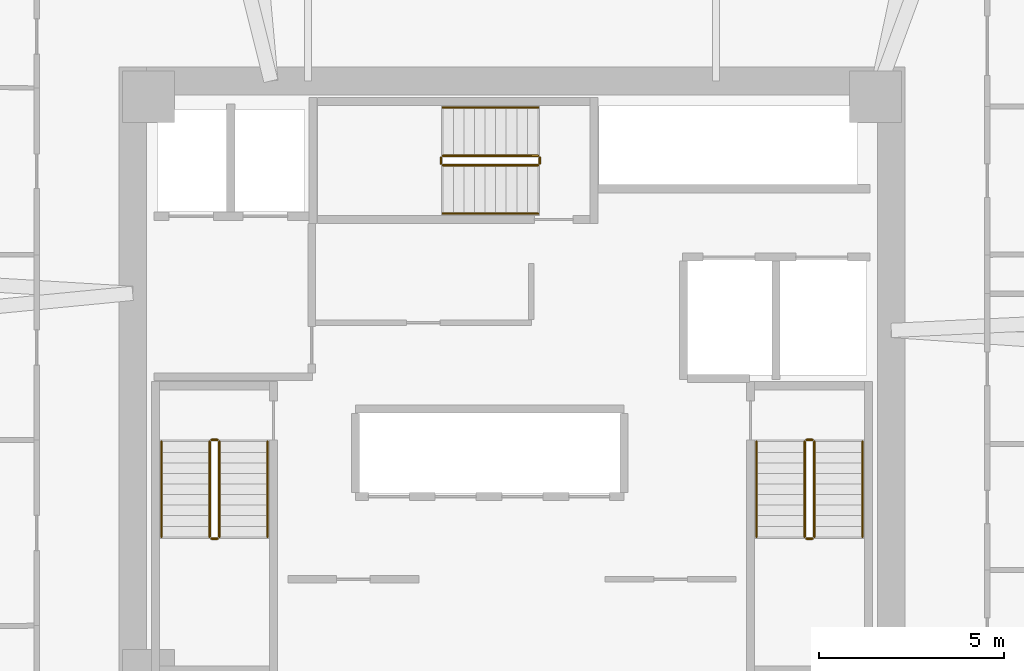
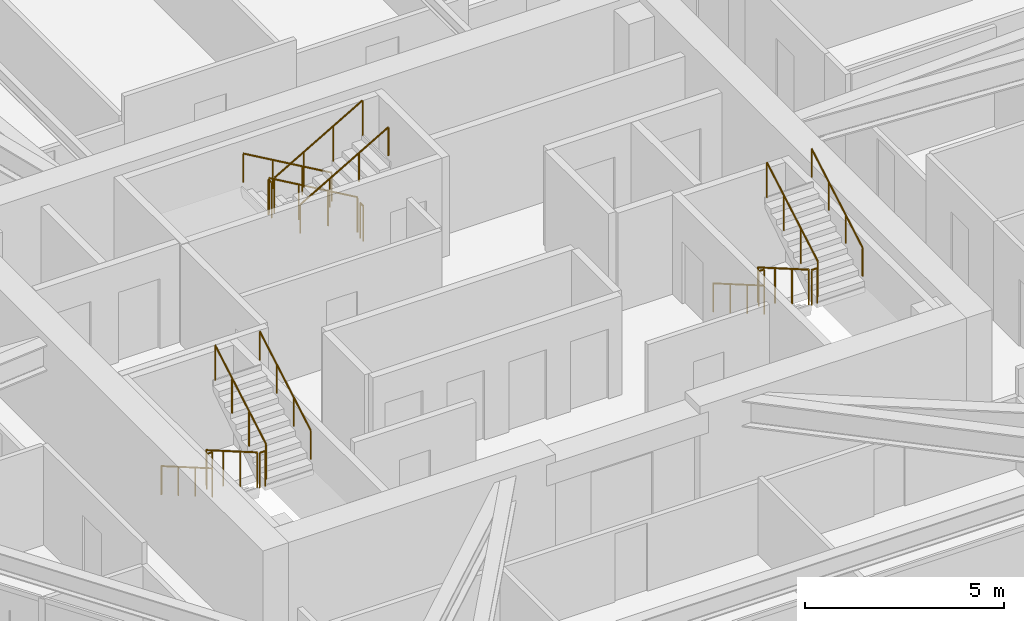
# One storey, part 14 of 14: 18 railings.
"""IFC4 building model written with IfcOpenShell, lengths in metres."""

import ifcopenshell
import ifcopenshell.guid

model = None  # the IFC model being written
_history = None  # IfcOwnerHistory: only IFC2X3 demands one
_inside = {}  # id of a spatial element -> (the spatial element, [elements in it])
_under = {}  # id of a project, library or spatial element -> (it, [spatial elements below it])
_declared = {}  # id of a project -> (the project, [libraries it declares])
_typed = {}  # id of a type object -> (the type object, [elements of that type])
_made_of = {}  # id of a material, layer set ... -> (it, [elements and type objects made of it])


def new_model(schema):
    """Start an empty IFC model of exactly this schema.

    Asked for "IFC4X3", IfcOpenShell would pick the latest addendum, in which some entities
    have other attributes; the version numbers below select the first issue.
    IFC2X3 requires an IfcOwnerHistory on every rooted entity: one is made here for all.
    """
    global model, _history
    if schema == "IFC4X3":
        model = ifcopenshell.file(schema_version=(4, 3, 0, 0))
    else:
        model = ifcopenshell.file(schema=schema)
    _inside.clear()
    _under.clear()
    _declared.clear()
    _typed.clear()
    _made_of.clear()
    _history = None
    if model.schema == "IFC2X3":
        org = make("IfcOrganization", Name="unknown")
        user = make(
            "IfcPersonAndOrganization",
            ThePerson=make("IfcPerson", FamilyName="unknown"),
            TheOrganization=org,
        )
        app = make(
            "IfcApplication",
            ApplicationDeveloper=org,
            Version="unknown",
            ApplicationFullName="unknown",
            ApplicationIdentifier="unknown",
        )
        _history = make(
            "IfcOwnerHistory",
            OwningUser=user,
            OwningApplication=app,
            ChangeAction="ADDED",
            CreationDate=0,
        )
    return model


def make(cls, **values):
    """One entity of the class cls with the attributes given. An attribute that is None is left unset."""
    return model.create_entity(
        cls, **{name: value for name, value in values.items() if value is not None}
    )


def rooted(cls, **values):
    """An entity with a GlobalId (a new one), such as an element, a storey or a relation."""
    return make(cls, GlobalId=ifcopenshell.guid.new(), OwnerHistory=_history, **values)


def si_unit(unit_type, name, prefix=None):
    """IfcSIUnit, for example si_unit("LENGTHUNIT", "METRE", prefix="MILLI")."""
    return make("IfcSIUnit", UnitType=unit_type, Prefix=prefix, Name=name)


def assignment(units):
    """IfcUnitAssignment: the units of a project."""
    return None if units is None else make("IfcUnitAssignment", Units=units)


def point(xyz):
    """IfcCartesianPoint."""
    return None if xyz is None else make("IfcCartesianPoint", Coordinates=xyz)


def direction(xyz):
    """IfcDirection."""
    return None if xyz is None else make("IfcDirection", DirectionRatios=xyz)


def frame(location, z_axis=None, x_axis=None):
    """IfcAxis2Placement3D, a coordinate frame: its origin and axes. An axis left out is left unset."""
    return make(
        "IfcAxis2Placement3D",
        Location=point(location),
        Axis=direction(z_axis),
        RefDirection=direction(x_axis),
    )


def frame_2d(location, x_axis=None):
    """IfcAxis2Placement2D, a coordinate frame in the plane: its origin and x axis."""
    return make(
        "IfcAxis2Placement2D", Location=point(location), RefDirection=direction(x_axis)
    )


def origin():
    """The frame at (0, 0, 0) with its axes left unset."""
    return frame((0.0, 0.0, 0.0))


def origin_2d():
    """The frame at (0, 0) in the plane with its x axis left unset."""
    return frame_2d((0.0, 0.0))


def place(relative_to, where):
    """IfcLocalPlacement: puts the frame where relative to a parent placement (None: the world)."""
    return make(
        "IfcLocalPlacement", PlacementRelTo=relative_to, RelativePlacement=where
    )


def context(
    kind, dimensions, precision=None, world=None, true_north=None, identifier=None
):
    """IfcGeometricRepresentationContext, for example the 3D "Model" context."""
    return make(
        "IfcGeometricRepresentationContext",
        ContextIdentifier=identifier,
        ContextType=kind,
        CoordinateSpaceDimension=dimensions,
        Precision=precision,
        WorldCoordinateSystem=world,
        TrueNorth=true_north,
    )


def subcontext(parent, identifier, kind, view, scale=None):
    """IfcGeometricRepresentationSubContext, for example "Body" below "Model"."""
    return make(
        "IfcGeometricRepresentationSubContext",
        ContextIdentifier=identifier,
        ContextType=kind,
        ParentContext=parent,
        TargetScale=scale,
        TargetView=view,
    )


def project(units=None, contexts=None):
    """IfcProject with its units and contexts."""
    return rooted(
        "IfcProject",
        Name="project",
        RepresentationContexts=contexts,
        UnitsInContext=assignment(units),
    )


def spatial(cls, under=None, at=None, **own):
    """A site, building, storey or space (cls), placed at a placement, below another one or the project."""
    s = rooted(cls, ObjectPlacement=at, **own)
    if under is not None:
        _under.setdefault(under.id(), (under, []))[1].append(s)
    return s


def profile(cls, at=None, kind="AREA", **sizes):
    """A parametric profile (cls). Its sizes go by their IFC names, for example OverallWidth=200.0."""
    return make(cls, ProfileType=kind, Position=at, **sizes)


def circle(**sizes):
    """IfcCircleProfileDef."""
    return profile("IfcCircleProfileDef", **sizes)


def extrude(swept, where, along, depth):
    """IfcExtrudedAreaSolid: the profile swept, set in the frame where, extruded along a direction by depth."""
    return make(
        "IfcExtrudedAreaSolid",
        SweptArea=swept,
        Position=where,
        ExtrudedDirection=direction(along),
        Depth=depth,
    )


def shape(context_of_items, identifier, shape_type, items):
    """IfcShapeRepresentation: the items that make up one representation, for example the "Body"."""
    return make(
        "IfcShapeRepresentation",
        ContextOfItems=context_of_items,
        RepresentationIdentifier=identifier,
        RepresentationType=shape_type,
        Items=items,
    )


def material(Name=None, Category=None):
    """IfcMaterial."""
    return make("IfcMaterial", Name=Name, Category=Category)


def made_of(thing, what):
    """Note that an element or type object is made of a material, layer set ...; save() writes the relation."""
    if what is not None:
        _made_of.setdefault(what.id(), (what, []))[1].append(thing)
    return thing


def type_object(cls, material=None, **own):
    """A type object (cls), such as IfcWallType, which elements share."""
    return made_of(rooted(cls, **own), material)


def element(
    cls,
    number,
    at=None,
    inside=None,
    cuts=None,
    type_object=None,
    material=None,
    context=None,
    identifier="Body",
    shape_type=None,
    held_by="IfcProductDefinitionShape",
    body=None,
    shapes=None,
    **own,
):
    """One element of the class cls, such as IfcWall. Its Tag is "e" and its number.

    at: its placement. inside: the storey or other place that contains it. cuts: it is an
    opening in that element (IfcRelVoidsElement). A single representation is given by context,
    identifier, shape_type and body (its items); several are given by shapes. held_by: the class
    of the entity that holds the representations. save() writes the other relations.
    """
    e = rooted(cls, Tag="e%d" % number, ObjectPlacement=at, **own)
    if body is not None:
        shapes = [shape(context, identifier, shape_type, body)]
    if shapes is not None:
        e.Representation = make(held_by, Representations=shapes)
    if inside is not None:
        _inside.setdefault(inside.id(), (inside, []))[1].append(e)
    if cuts is not None:
        rooted(
            "IfcRelVoidsElement", RelatingBuildingElement=cuts, RelatedOpeningElement=e
        )
    if type_object is not None:
        _typed.setdefault(type_object.id(), (type_object, []))[1].append(e)
    return made_of(e, material)


def aggregate(whole, parts):
    """IfcRelAggregates: a whole, such as a stair, and the parts it consists of."""
    return rooted("IfcRelAggregates", RelatingObject=whole, RelatedObjects=parts)


def save(model, path):
    """Write the relations noted so far, then the file.

    IfcRelAggregates (storeys below a building ...), IfcRelContainedInSpatialStructure (elements
    in a storey), IfcRelDefinesByType, IfcRelAssociatesMaterial and IfcRelDeclares: one each for
    every whole, place, type object, material and project.
    """
    for whole, parts in _under.values():
        aggregate(whole, parts)
    for where, things in _inside.values():
        rooted(
            "IfcRelContainedInSpatialStructure",
            RelatedElements=things,
            RelatingStructure=where,
        )
    for kind, things in _typed.values():
        rooted("IfcRelDefinesByType", RelatedObjects=things, RelatingType=kind)
    for what, things in _made_of.values():
        rooted("IfcRelAssociatesMaterial", RelatedObjects=things, RelatingMaterial=what)
    for by, libraries in _declared.values():
        rooted("IfcRelDeclares", RelatingContext=by, RelatedDefinitions=libraries)
    model.write(path)


model = new_model("IFC4")

# Units and contexts
model_context = context("Model", 3, precision=1e-05, world=origin(), true_north=direction((0.0, 1.0)))
body_context = subcontext(model_context, "Body", "Model", "MODEL_VIEW")
ifc_project = project(units=[si_unit("LENGTHUNIT", "METRE"), si_unit("AREAUNIT", "SQUARE_METRE"), si_unit("VOLUMEUNIT", "CUBIC_METRE"), si_unit("PLANEANGLEUNIT", "RADIAN"), si_unit("MASSUNIT", "GRAM", prefix="KILO")], contexts=[model_context])

# Site, building, storey
site_placement = place(None, origin())
site = spatial("IfcSite", under=ifc_project, at=site_placement, CompositionType="ELEMENT")
building_placement = place(site_placement, origin())
building = spatial("IfcBuilding", under=site, at=building_placement, Name="Durnholm Broadcast Tower", CompositionType="ELEMENT")
storey_placement = place(building_placement, frame((0.0, 0.0, 127.199951171875)))
storey = spatial("IfcBuildingStorey", under=building, at=storey_placement, Name="L34", CompositionType="ELEMENT", Elevation=127.199951171875)

# Railings
ifc_material_1 = material(Name="Painted Tubular Steel Stair Guardrail", Category="steel")
railing_type_1 = type_object("IfcRailingType", Name="RAIL-ST-GRD", PredefinedType="GUARDRAIL", material=ifc_material_1)
railing_1_placement = place(storey_placement, frame((-8.14990234375, -1.5, 0.1650390625)))
element("IfcRailing", 1, at=railing_1_placement, inside=storey, type_object=railing_type_1, Name="L34 ST-1 stair guard 1", PredefinedType="GUARDRAIL", context=body_context, shape_type="SweptSolid", body=[
    extrude(circle(Radius=0.02392578125, at=origin_2d()), frame((0.0, 0.0, 1.076171875), z_axis=(0.0, -0.865405606168, 0.501071987656), x_axis=(1.0, 0.0, 0.0)), (0.0, 0.0, 1.0), 2.9638671875),
    extrude(circle(Radius=0.02099609375, at=origin_2d()), origin(), (0.0, 0.0, 1.0), 1.052001953125),
    extrude(circle(Radius=0.02099609375, at=origin_2d()), frame((0.0, -0.85498046875, 0.4951171875)), (0.0, 0.0, 1.0), 1.052001953125),
    extrude(circle(Radius=0.02099609375, at=origin_2d()), frame((0.0, -1.7099609375, 0.989990234375)), (0.0, 0.0, 1.0), 1.052001953125),
    extrude(circle(Radius=0.02099609375, at=origin_2d()), frame((0.0, -2.56494140625, 1.485107421875)), (0.0, 0.0, 1.0), 1.052001953125),
])
railing_2_placement = place(storey_placement, frame((-8.10009765625, -4.114990234375, 1.650146484375)))
element("IfcRailing", 2, at=railing_2_placement, inside=storey, type_object=railing_type_1, Name="L34 ST-1 stair guard 2", PredefinedType="GUARDRAIL", context=body_context, shape_type="SweptSolid", body=[
    extrude(circle(Radius=0.02392578125, at=origin_2d()), frame((0.0, 0.0, 1.076171875), z_axis=(1.0, 0.0, 0.0), x_axis=(0.0, 1.0, 0.0)), (0.0, 0.0, 1.0), 0.16015625),
    extrude(circle(Radius=0.02099609375, at=origin_2d()), origin(), (0.0, 0.0, 1.0), 1.052001953125),
    extrude(circle(Radius=0.02099609375, at=origin_2d()), frame((0.16015625, 0.0, 0.0)), (0.0, 0.0, 1.0), 1.052001953125),
])
railing_3_placement = place(storey_placement, frame((-7.889892578125, -4.06494140625, 1.81494140625)))
element("IfcRailing", 3, at=railing_3_placement, inside=storey, type_object=railing_type_1, Name="L34 ST-1 stair guard 3", PredefinedType="GUARDRAIL", context=body_context, shape_type="SweptSolid", body=[
    extrude(circle(Radius=0.02392578125, at=origin_2d()), frame((0.0, 0.0, 1.076171875), z_axis=(0.0, 0.865405606168, 0.501071987656), x_axis=(-1.0, 0.0, 0.0)), (0.0, 0.0, 1.0), 2.9638671875),
    extrude(circle(Radius=0.02099609375, at=origin_2d()), origin(), (0.0, 0.0, 1.0), 1.052001953125),
    extrude(circle(Radius=0.02099609375, at=origin_2d()), frame((0.0, 0.85498046875, 0.4951171875)), (0.0, 0.0, 1.0), 1.052001953125),
    extrude(circle(Radius=0.02099609375, at=origin_2d()), frame((0.0, 1.7099609375, 0.989990234375)), (0.0, 0.0, 1.0), 1.052001953125),
    extrude(circle(Radius=0.02099609375, at=origin_2d()), frame((0.0, 2.56494140625, 1.485107421875)), (0.0, 0.0, 1.0), 1.052001953125),
])
railing_4_placement = place(storey_placement, frame((-8.10009765625, -1.449951171875, 0.0)))
element("IfcRailing", 4, at=railing_4_placement, inside=storey, type_object=railing_type_1, Name="L34 ST-1 stair guard 4", PredefinedType="GUARDRAIL", context=body_context, shape_type="SweptSolid", body=[
    extrude(circle(Radius=0.02392578125, at=origin_2d()), frame((0.0, 0.0, 1.076171875), z_axis=(1.0, 0.0, 0.0), x_axis=(0.0, 1.0, 0.0)), (0.0, 0.0, 1.0), 0.16015625),
    extrude(circle(Radius=0.02099609375, at=origin_2d()), origin(), (0.0, 0.0, 1.0), 1.052001953125),
    extrude(circle(Radius=0.02099609375, at=origin_2d()), frame((0.16015625, 0.0, 0.0)), (0.0, 0.0, 1.0), 1.052001953125),
])
railing_5_placement = place(storey_placement, frame((7.889892578125, -1.5, 0.1650390625)))
element("IfcRailing", 5, at=railing_5_placement, inside=storey, type_object=railing_type_1, Name="L34 ST-2 stair guard 1", PredefinedType="GUARDRAIL", context=body_context, shape_type="SweptSolid", body=[
    extrude(circle(Radius=0.02392578125, at=origin_2d()), frame((0.0, 0.0, 1.076171875), z_axis=(0.0, -0.865405606168, 0.501071987656), x_axis=(1.0, 0.0, 0.0)), (0.0, 0.0, 1.0), 2.9638671875),
    extrude(circle(Radius=0.02099609375, at=origin_2d()), origin(), (0.0, 0.0, 1.0), 1.052001953125),
    extrude(circle(Radius=0.02099609375, at=origin_2d()), frame((0.0, -0.85498046875, 0.4951171875)), (0.0, 0.0, 1.0), 1.052001953125),
    extrude(circle(Radius=0.02099609375, at=origin_2d()), frame((0.0, -1.7099609375, 0.989990234375)), (0.0, 0.0, 1.0), 1.052001953125),
    extrude(circle(Radius=0.02099609375, at=origin_2d()), frame((0.0, -2.56494140625, 1.485107421875)), (0.0, 0.0, 1.0), 1.052001953125),
])
railing_6_placement = place(storey_placement, frame((7.93994140625, -4.114990234375, 1.650146484375)))
element("IfcRailing", 6, at=railing_6_placement, inside=storey, type_object=railing_type_1, Name="L34 ST-2 stair guard 2", PredefinedType="GUARDRAIL", context=body_context, shape_type="SweptSolid", body=[
    extrude(circle(Radius=0.02392578125, at=origin_2d()), frame((0.0, 0.0, 1.076171875), z_axis=(1.0, 0.0, 0.0), x_axis=(0.0, 1.0, 0.0)), (0.0, 0.0, 1.0), 0.16015625),
    extrude(circle(Radius=0.02099609375, at=origin_2d()), origin(), (0.0, 0.0, 1.0), 1.052001953125),
    extrude(circle(Radius=0.02099609375, at=origin_2d()), frame((0.16015625, 0.0, 0.0)), (0.0, 0.0, 1.0), 1.052001953125),
])
railing_7_placement = place(storey_placement, frame((8.14990234375, -4.06494140625, 1.81494140625)))
element("IfcRailing", 7, at=railing_7_placement, inside=storey, type_object=railing_type_1, Name="L34 ST-2 stair guard 3", PredefinedType="GUARDRAIL", context=body_context, shape_type="SweptSolid", body=[
    extrude(circle(Radius=0.02392578125, at=origin_2d()), frame((0.0, 0.0, 1.076171875), z_axis=(0.0, 0.865405606168, 0.501071987656), x_axis=(-1.0, 0.0, 0.0)), (0.0, 0.0, 1.0), 2.9638671875),
    extrude(circle(Radius=0.02099609375, at=origin_2d()), origin(), (0.0, 0.0, 1.0), 1.052001953125),
    extrude(circle(Radius=0.02099609375, at=origin_2d()), frame((0.0, 0.85498046875, 0.4951171875)), (0.0, 0.0, 1.0), 1.052001953125),
    extrude(circle(Radius=0.02099609375, at=origin_2d()), frame((0.0, 1.7099609375, 0.989990234375)), (0.0, 0.0, 1.0), 1.052001953125),
    extrude(circle(Radius=0.02099609375, at=origin_2d()), frame((0.0, 2.56494140625, 1.485107421875)), (0.0, 0.0, 1.0), 1.052001953125),
])
railing_8_placement = place(storey_placement, frame((7.93994140625, -1.449951171875, 0.0)))
element("IfcRailing", 8, at=railing_8_placement, inside=storey, type_object=railing_type_1, Name="L34 ST-2 stair guard 4", PredefinedType="GUARDRAIL", context=body_context, shape_type="SweptSolid", body=[
    extrude(circle(Radius=0.02392578125, at=origin_2d()), frame((0.0, 0.0, 1.076171875), z_axis=(1.0, 0.0, 0.0), x_axis=(0.0, 1.0, 0.0)), (0.0, 0.0, 1.0), 0.16015625),
    extrude(circle(Radius=0.02099609375, at=origin_2d()), origin(), (0.0, 0.0, 1.0), 1.052001953125),
    extrude(circle(Radius=0.02099609375, at=origin_2d()), frame((0.16015625, 0.0, 0.0)), (0.0, 0.0, 1.0), 1.052001953125),
])
railing_9_placement = place(storey_placement, frame((0.699951171875, 6.2099609375, 0.1650390625)))
element("IfcRailing", 9, at=railing_9_placement, inside=storey, type_object=railing_type_1, Name="L34 ST-3 stair guard 1", PredefinedType="GUARDRAIL", context=body_context, shape_type="SweptSolid", body=[
    extrude(circle(Radius=0.02392578125, at=origin_2d()), frame((0.0, 0.0, 1.076171875), z_axis=(-0.865405606168, 0.0, 0.501071987656), x_axis=(0.0, -1.0, 0.0)), (0.0, 0.0, 1.0), 2.9638671875),
    extrude(circle(Radius=0.02099609375, at=origin_2d()), origin(), (0.0, 0.0, 1.0), 1.052001953125),
    extrude(circle(Radius=0.02099609375, at=origin_2d()), frame((-0.85498046875, 0.0, 0.4951171875)), (0.0, 0.0, 1.0), 1.052001953125),
    extrude(circle(Radius=0.02099609375, at=origin_2d()), frame((-1.7099609375, 0.0, 0.989990234375)), (0.0, 0.0, 1.0), 1.052001953125),
    extrude(circle(Radius=0.02099609375, at=origin_2d()), frame((-2.56494140625, 0.0, 1.485107421875)), (0.0, 0.0, 1.0), 1.052001953125),
])
railing_10_placement = place(storey_placement, frame((-1.9150390625, 6.159912109375, 1.650146484375)))
element("IfcRailing", 10, at=railing_10_placement, inside=storey, type_object=railing_type_1, Name="L34 ST-3 stair guard 2", PredefinedType="GUARDRAIL", context=body_context, shape_type="SweptSolid", body=[
    extrude(circle(Radius=0.02392578125, at=origin_2d()), frame((0.0, 0.0, 1.076171875), z_axis=(0.0, -1.0, 0.0), x_axis=(1.0, 0.0, 0.0)), (0.0, 0.0, 1.0), 0.159912109375),
    extrude(circle(Radius=0.02099609375, at=origin_2d()), origin(), (0.0, 0.0, 1.0), 1.052001953125),
    extrude(circle(Radius=0.02099609375, at=origin_2d()), frame((0.0, -0.159912109375, 0.0)), (0.0, 0.0, 1.0), 1.052001953125),
])
railing_11_placement = place(storey_placement, frame((-1.864990234375, 5.949951171875, 1.81494140625)))
element("IfcRailing", 11, at=railing_11_placement, inside=storey, type_object=railing_type_1, Name="L34 ST-3 stair guard 3", PredefinedType="GUARDRAIL", context=body_context, shape_type="SweptSolid", body=[
    extrude(circle(Radius=0.02392578125, at=origin_2d()), frame((0.0, 0.0, 1.076171875), z_axis=(0.865405606168, 0.0, 0.501071987656), x_axis=(0.0, 1.0, 0.0)), (0.0, 0.0, 1.0), 2.9638671875),
    extrude(circle(Radius=0.02099609375, at=origin_2d()), origin(), (0.0, 0.0, 1.0), 1.052001953125),
    extrude(circle(Radius=0.02099609375, at=origin_2d()), frame((0.85498046875, 0.0, 0.4951171875)), (0.0, 0.0, 1.0), 1.052001953125),
    extrude(circle(Radius=0.02099609375, at=origin_2d()), frame((1.7099609375, 0.0, 0.989990234375)), (0.0, 0.0, 1.0), 1.052001953125),
    extrude(circle(Radius=0.02099609375, at=origin_2d()), frame((2.56494140625, 0.0, 1.485107421875)), (0.0, 0.0, 1.0), 1.052001953125),
])
railing_12_placement = place(storey_placement, frame((0.75, 6.159912109375, 0.0)))
element("IfcRailing", 12, at=railing_12_placement, inside=storey, type_object=railing_type_1, Name="L34 ST-3 stair guard 4", PredefinedType="GUARDRAIL", context=body_context, shape_type="SweptSolid", body=[
    extrude(circle(Radius=0.02392578125, at=origin_2d()), frame((0.0, 0.0, 1.076171875), z_axis=(0.0, -1.0, 0.0), x_axis=(1.0, 0.0, 0.0)), (0.0, 0.0, 1.0), 0.159912109375),
    extrude(circle(Radius=0.02099609375, at=origin_2d()), origin(), (0.0, 0.0, 1.0), 1.052001953125),
    extrude(circle(Radius=0.02099609375, at=origin_2d()), frame((0.0, -0.159912109375, 0.0)), (0.0, 0.0, 1.0), 1.052001953125),
])
ifc_material_2 = material(Name="Brushed Stainless Steel Handrail", Category="steel")
railing_type_2 = type_object("IfcRailingType", Name="RAIL-ST-HND", PredefinedType="HANDRAIL", material=ifc_material_2)
railing_13_placement = place(storey_placement, frame((-9.449951171875, -1.5, 0.330078125)))
element("IfcRailing", 13, at=railing_13_placement, inside=storey, type_object=railing_type_2, Name="L34 ST-1 stair handrail 1", PredefinedType="HANDRAIL", context=body_context, shape_type="SweptSolid", body=[
    extrude(circle(Radius=0.02392578125, at=origin_2d()), frame((0.0, 0.0, 0.8759765625), z_axis=(0.0, -0.865441324677, 0.50101029285), x_axis=(1.0, 0.0, 0.0)), (0.0, 0.0, 1.0), 2.963623046875),
    extrude(circle(Radius=0.02099609375, at=origin_2d()), origin(), (0.0, 0.0, 1.0), 0.851806640625),
    extrude(circle(Radius=0.02099609375, at=origin_2d()), frame((0.0, -0.85498046875, 0.494873046875)), (0.0, 0.0, 1.0), 0.851806640625),
    extrude(circle(Radius=0.02099609375, at=origin_2d()), frame((0.0, -1.7099609375, 0.989990234375)), (0.0, 0.0, 1.0), 0.851806640625),
    extrude(circle(Radius=0.02099609375, at=origin_2d()), frame((0.0, -2.56494140625, 1.48486328125)), (0.0, 0.0, 1.0), 0.851806640625),
])
railing_14_placement = place(storey_placement, frame((-6.590087890625, -4.06494140625, 1.97998046875)))
element("IfcRailing", 14, at=railing_14_placement, inside=storey, type_object=railing_type_2, Name="L34 ST-1 stair handrail 2", PredefinedType="HANDRAIL", context=body_context, shape_type="SweptSolid", body=[
    extrude(circle(Radius=0.02392578125, at=origin_2d()), frame((0.0, 0.0, 0.8759765625), z_axis=(0.0, 0.865405606168, 0.501071987656), x_axis=(-1.0, 0.0, 0.0)), (0.0, 0.0, 1.0), 2.9638671875),
    extrude(circle(Radius=0.02099609375, at=origin_2d()), origin(), (0.0, 0.0, 1.0), 0.851806640625),
    extrude(circle(Radius=0.02099609375, at=origin_2d()), frame((0.0, 0.85498046875, 0.4951171875)), (0.0, 0.0, 1.0), 0.851806640625),
    extrude(circle(Radius=0.02099609375, at=origin_2d()), frame((0.0, 1.7099609375, 0.989990234375)), (0.0, 0.0, 1.0), 0.851806640625),
    extrude(circle(Radius=0.02099609375, at=origin_2d()), frame((0.0, 2.56494140625, 1.485107421875)), (0.0, 0.0, 1.0), 0.851806640625),
])
railing_15_placement = place(storey_placement, frame((6.590087890625, -1.5, 0.330078125)))
element("IfcRailing", 15, at=railing_15_placement, inside=storey, type_object=railing_type_2, Name="L34 ST-2 stair handrail 1", PredefinedType="HANDRAIL", context=body_context, shape_type="SweptSolid", body=[
    extrude(circle(Radius=0.02392578125, at=origin_2d()), frame((0.0, 0.0, 0.8759765625), z_axis=(0.0, -0.865441324677, 0.50101029285), x_axis=(1.0, 0.0, 0.0)), (0.0, 0.0, 1.0), 2.963623046875),
    extrude(circle(Radius=0.02099609375, at=origin_2d()), origin(), (0.0, 0.0, 1.0), 0.851806640625),
    extrude(circle(Radius=0.02099609375, at=origin_2d()), frame((0.0, -0.85498046875, 0.494873046875)), (0.0, 0.0, 1.0), 0.851806640625),
    extrude(circle(Radius=0.02099609375, at=origin_2d()), frame((0.0, -1.7099609375, 0.989990234375)), (0.0, 0.0, 1.0), 0.851806640625),
    extrude(circle(Radius=0.02099609375, at=origin_2d()), frame((0.0, -2.56494140625, 1.48486328125)), (0.0, 0.0, 1.0), 0.851806640625),
])
railing_16_placement = place(storey_placement, frame((9.449951171875, -4.06494140625, 1.97998046875)))
element("IfcRailing", 16, at=railing_16_placement, inside=storey, type_object=railing_type_2, Name="L34 ST-2 stair handrail 2", PredefinedType="HANDRAIL", context=body_context, shape_type="SweptSolid", body=[
    extrude(circle(Radius=0.02392578125, at=origin_2d()), frame((0.0, 0.0, 0.8759765625), z_axis=(0.0, 0.865405606168, 0.501071987656), x_axis=(-1.0, 0.0, 0.0)), (0.0, 0.0, 1.0), 2.9638671875),
    extrude(circle(Radius=0.02099609375, at=origin_2d()), origin(), (0.0, 0.0, 1.0), 0.851806640625),
    extrude(circle(Radius=0.02099609375, at=origin_2d()), frame((0.0, 0.85498046875, 0.4951171875)), (0.0, 0.0, 1.0), 0.851806640625),
    extrude(circle(Radius=0.02099609375, at=origin_2d()), frame((0.0, 1.7099609375, 0.989990234375)), (0.0, 0.0, 1.0), 0.851806640625),
    extrude(circle(Radius=0.02099609375, at=origin_2d()), frame((0.0, 2.56494140625, 1.485107421875)), (0.0, 0.0, 1.0), 0.851806640625),
])
railing_17_placement = place(storey_placement, frame((0.699951171875, 7.510009765625, 0.330078125)))
element("IfcRailing", 17, at=railing_17_placement, inside=storey, type_object=railing_type_2, Name="L34 ST-3 stair handrail 1", PredefinedType="HANDRAIL", context=body_context, shape_type="SweptSolid", body=[
    extrude(circle(Radius=0.02392578125, at=origin_2d()), frame((0.0, 0.0, 0.8759765625), z_axis=(-0.865441324677, 0.0, 0.50101029285), x_axis=(0.0, -1.0, 0.0)), (0.0, 0.0, 1.0), 2.963623046875),
    extrude(circle(Radius=0.02099609375, at=origin_2d()), origin(), (0.0, 0.0, 1.0), 0.851806640625),
    extrude(circle(Radius=0.02099609375, at=origin_2d()), frame((-0.85498046875, 0.0, 0.494873046875)), (0.0, 0.0, 1.0), 0.851806640625),
    extrude(circle(Radius=0.02099609375, at=origin_2d()), frame((-1.7099609375, 0.0, 0.989990234375)), (0.0, 0.0, 1.0), 0.851806640625),
    extrude(circle(Radius=0.02099609375, at=origin_2d()), frame((-2.56494140625, 0.0, 1.48486328125)), (0.0, 0.0, 1.0), 0.851806640625),
])
railing_18_placement = place(storey_placement, frame((-1.864990234375, 4.64990234375, 1.97998046875)))
element("IfcRailing", 18, at=railing_18_placement, inside=storey, type_object=railing_type_2, Name="L34 ST-3 stair handrail 2", PredefinedType="HANDRAIL", context=body_context, shape_type="SweptSolid", body=[
    extrude(circle(Radius=0.02392578125, at=origin_2d()), frame((0.0, 0.0, 0.8759765625), z_axis=(0.865405606168, 0.0, 0.501071987656), x_axis=(0.0, 1.0, 0.0)), (0.0, 0.0, 1.0), 2.9638671875),
    extrude(circle(Radius=0.02099609375, at=origin_2d()), origin(), (0.0, 0.0, 1.0), 0.851806640625),
    extrude(circle(Radius=0.02099609375, at=origin_2d()), frame((0.85498046875, 0.0, 0.4951171875)), (0.0, 0.0, 1.0), 0.851806640625),
    extrude(circle(Radius=0.02099609375, at=origin_2d()), frame((1.7099609375, 0.0, 0.989990234375)), (0.0, 0.0, 1.0), 0.851806640625),
    extrude(circle(Radius=0.02099609375, at=origin_2d()), frame((2.56494140625, 0.0, 1.485107421875)), (0.0, 0.0, 1.0), 0.851806640625),
])

save(model, "model.ifc")
